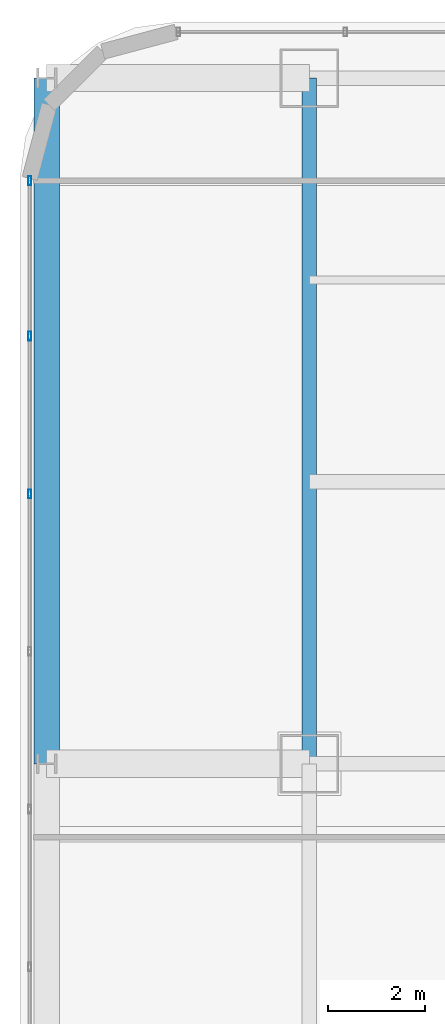
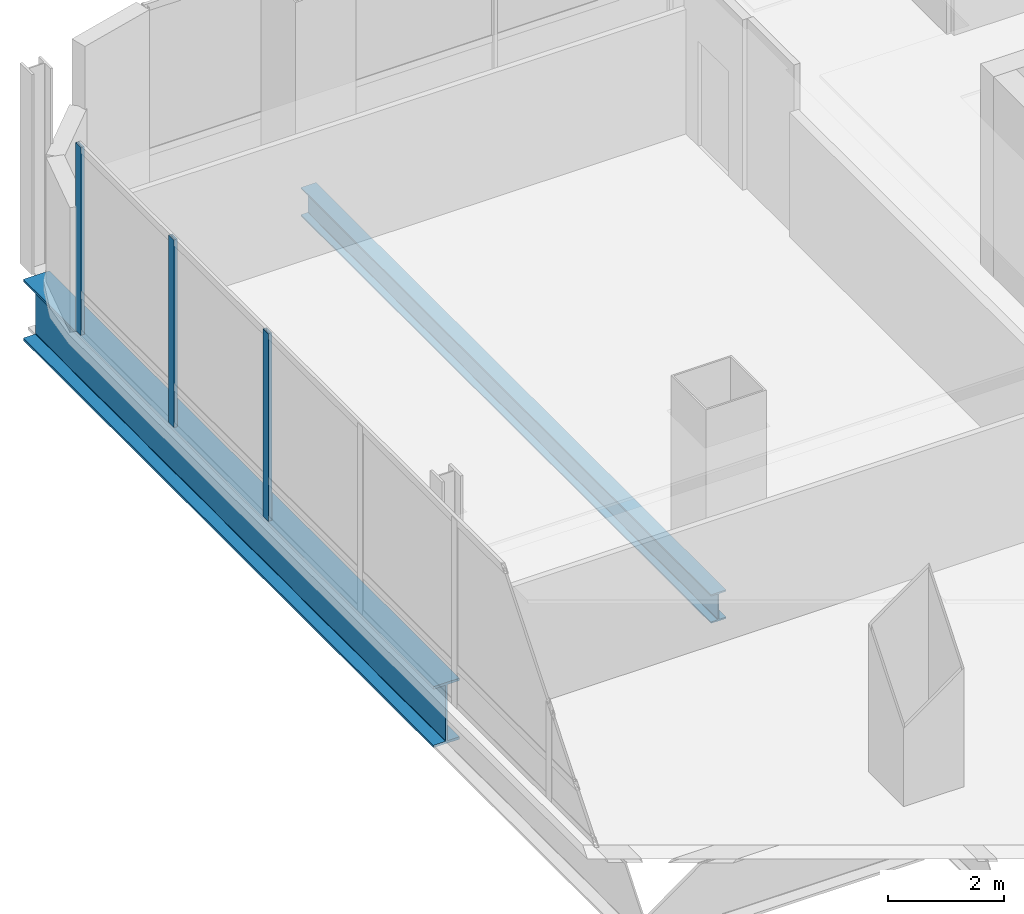
# One storey, part 24 of 46: 3 members, 2 beams, 1 element without a shape of its own.
"""IFC4 building model written with IfcOpenShell, lengths in metres."""

from ifc_helpers import new_model, si_unit, direction, frame, origin, origin_2d, place, context, subcontext, project, spatial, hollow_rectangle, i_section, extrude, material, material_profile, profile_set, type_object, element, aggregate, save


model = new_model("IFC4")

# Units and contexts
model_context = context("Model", 3, precision=1e-05, world=origin(), true_north=direction((0.0, 1.0)))
body_context = subcontext(model_context, "Body", "Model", "MODEL_VIEW")
ifc_project = project(units=[si_unit("LENGTHUNIT", "METRE"), si_unit("AREAUNIT", "SQUARE_METRE"), si_unit("VOLUMEUNIT", "CUBIC_METRE"), si_unit("PLANEANGLEUNIT", "RADIAN"), si_unit("MASSUNIT", "GRAM", prefix="KILO")], contexts=[model_context])

# Site, building, storey
site_placement = place(None, origin())
site = spatial("IfcSite", under=ifc_project, at=site_placement, CompositionType="ELEMENT")
building_placement = place(site_placement, origin())
building = spatial("IfcBuilding", under=site, at=building_placement, Name="Punatoya Terracotta Tower", CompositionType="ELEMENT")
storey_placement = place(building_placement, frame((0.0, 0.0, 330.0)))
storey = spatial("IfcBuildingStorey", under=building, at=storey_placement, Name="L78", CompositionType="ELEMENT", Elevation=330.0)

# Beams
ifc_material_1 = material(Name="Steel S355", Category="steel")
ifc_material_profile_1 = material_profile(ifc_material_1, i_section(OverallWidth=0.300048828125, OverallDepth=0.60009765625, WebThickness=0.015380859375, FlangeThickness=0.030029296875, FilletRadius=0.01806640625, at=origin_2d()))
ifc_profile_set_1 = profile_set([ifc_material_profile_1], Name="Steel S355")
beam_type_1 = type_object("IfcBeamType", Name="BM-PRI-600", PredefinedType="BEAM", material=ifc_profile_set_1)
beam_1_placement = place(storey_placement, frame((-19.10009765625, 3.39990234375, -0.5), z_axis=(0.0, 1.0, 0.0), x_axis=(-1.0, 0.0, 0.0)))
element("IfcBeam", 1, at=beam_1_placement, inside=storey, type_object=beam_type_1, Name="BM-L78-RG-W3", PredefinedType="BEAM", context=body_context, shape_type="SweptSolid", body=[
    extrude(i_section(OverallWidth=0.300048828125, OverallDepth=0.60009765625, WebThickness=0.015380859375, FlangeThickness=0.030029296875, FilletRadius=0.01806640625, at=origin_2d()), origin(), (0.0, 0.0, 1.0), 14.10009765625),
])
ifc_material_2 = material(Name="Steel S460", Category="steel")
ifc_material_profile_2 = material_profile(ifc_material_2, i_section(OverallWidth=0.52001953125, OverallDepth=1.280029296875, WebThickness=0.031982421875, FlangeThickness=0.050048828125, FilletRadius=0.01806640625, at=origin_2d()))
ifc_profile_set_2 = profile_set([ifc_material_profile_2], Name="Steel S460")
beam_type_2 = type_object("IfcBeamType", Name="BM-TG-NCK", PredefinedType="BEAM", material=ifc_profile_set_2)
beam_2_placement = place(storey_placement, frame((-24.5, 3.39990234375, -0.840087890625), z_axis=(0.0, 1.0, 0.0), x_axis=(-1.0, 0.0, 0.0)))
element("IfcBeam", 2, at=beam_2_placement, inside=storey, type_object=beam_type_2, Name="BM-L78-PER-W3", PredefinedType="BEAM", context=body_context, shape_type="SweptSolid", body=[
    extrude(i_section(OverallWidth=0.52001953125, OverallDepth=1.280029296875, WebThickness=0.031982421875, FlangeThickness=0.050048828125, FilletRadius=0.01806640625, at=origin_2d()), origin(), (0.0, 0.0, 1.0), 14.10009765625),
])

# Curtain wall, members
ifc_material_3 = material(Name="Aluminium 6063-T6 + Double Low-E Glass", Category="aluminium")
curtain_wall_type = type_object("IfcCurtainWallType", Name="CW-OBS", PredefinedType="NOTDEFINED", material=ifc_material_3)
curtain_wall_placement = place(storey_placement, origin())
curtain_wall = element("IfcCurtainWall", 3, at=curtain_wall_placement, inside=storey, type_object=curtain_wall_type, Name="L78 Curtain Wall CW-L78-W13-1", PredefinedType="NOTDEFINED")
ifc_material_4 = material(Name="Aluminium 6063-T6", Category="aluminium")
ifc_material_profile_3 = material_profile(ifc_material_4, hollow_rectangle(XDim=0.070068359375, YDim=0.179931640625, WallThickness=0.00390625, at=origin_2d()))
ifc_profile_set_3 = profile_set([ifc_material_profile_3], Name="Aluminium 6063-T6")
member_type = type_object("IfcMemberType", Name="CW-MUL-M3", PredefinedType="MULLION", material=ifc_profile_set_3)
member_1_placement = place(storey_placement, frame((-24.85009765625, 15.391845703125, 0.0), z_axis=(0.0, 0.0, 1.0), x_axis=(1.0, 0.0, 0.0)))
member_1 = element("IfcMember", 4, at=member_1_placement, type_object=member_type, Name="CW-L78-W13-1 Mullion 00", PredefinedType="MULLION", context=body_context, shape_type="SweptSolid", body=[
    extrude(hollow_rectangle(XDim=0.070068359375, YDim=0.179931640625, WallThickness=0.00390625, at=origin_2d()), origin(), (0.0, 0.0, 1.0), 3.93994140625),
])
member_2_placement = place(storey_placement, frame((-24.85009765625, 12.19384765625, 0.0), z_axis=(0.0, 0.0, 1.0), x_axis=(1.0, 0.0, 0.0)))
member_2 = element("IfcMember", 5, at=member_2_placement, type_object=member_type, Name="CW-L78-W13-1 Mullion 01", PredefinedType="MULLION", context=body_context, shape_type="SweptSolid", body=[
    extrude(hollow_rectangle(XDim=0.070068359375, YDim=0.179931640625, WallThickness=0.00390625, at=origin_2d()), origin(), (0.0, 0.0, 1.0), 3.93994140625),
])
member_3_placement = place(storey_placement, frame((-24.85009765625, 8.95068359375, 0.0), z_axis=(0.0, 0.0, 1.0), x_axis=(1.0, 0.0, 0.0)))
member_3 = element("IfcMember", 6, at=member_3_placement, type_object=member_type, Name="CW-L78-W13-1 Mullion 02", PredefinedType="MULLION", context=body_context, shape_type="SweptSolid", body=[
    extrude(hollow_rectangle(XDim=0.070068359375, YDim=0.179931640625, WallThickness=0.00390625, at=origin_2d()), origin(), (0.0, 0.0, 1.0), 3.93994140625),
])
aggregate(curtain_wall, [member_1, member_2, member_3])

save(model, "model.ifc")
